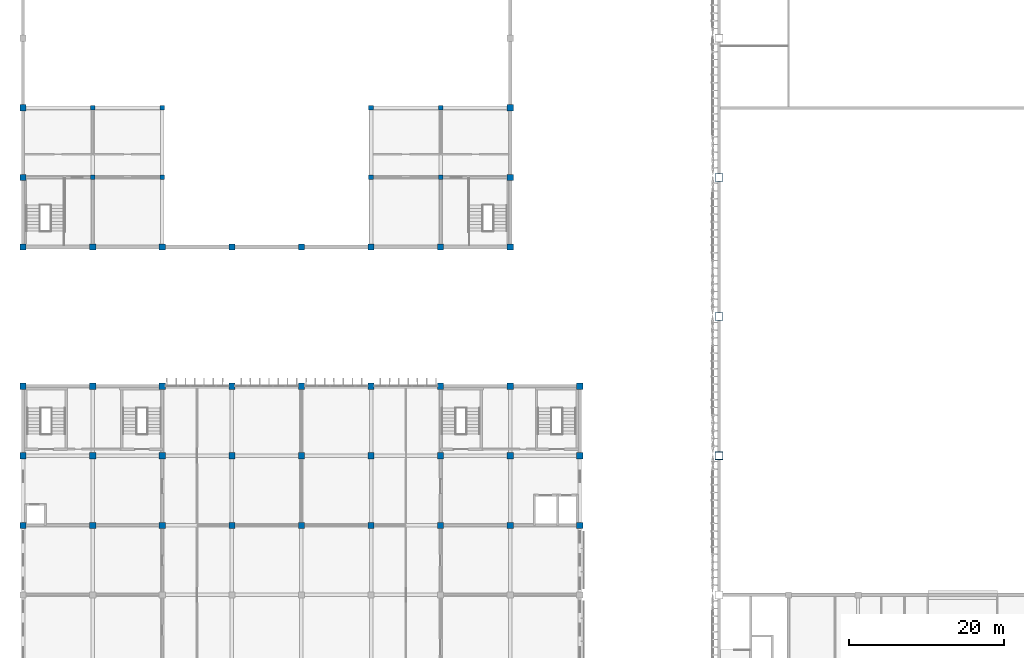
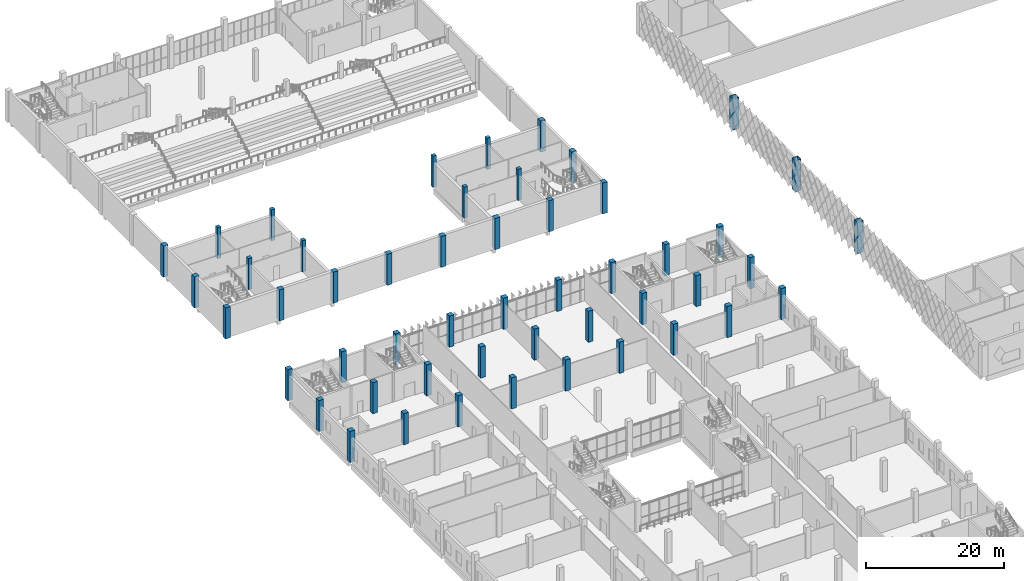
# One storey, part 3 of 185: 50 columns.
"""IFC4 building model written with IfcOpenShell, lengths in metres."""

from ifc_helpers import new_model, si_unit, direction, frame, origin, origin_2d, place, context, subcontext, project, spatial, rectangle, hollow_rectangle, extrude, material, material_profile, profile_set, type_object, element, save


model = new_model("IFC4")

# Units and contexts
model_context = context("Model", 3, precision=1e-05, world=origin(), true_north=direction((0.0, 1.0)))
body_context = subcontext(model_context, "Body", "Model", "MODEL_VIEW")
ifc_project = project(units=[si_unit("LENGTHUNIT", "METRE"), si_unit("AREAUNIT", "SQUARE_METRE"), si_unit("VOLUMEUNIT", "CUBIC_METRE"), si_unit("PLANEANGLEUNIT", "RADIAN"), si_unit("MASSUNIT", "GRAM", prefix="KILO")], contexts=[model_context])

# Site, building, storey
site_placement = place(None, origin())
site = spatial("IfcSite", under=ifc_project, at=site_placement, CompositionType="ELEMENT")
building_placement = place(site_placement, origin())
building = spatial("IfcBuilding", under=site, at=building_placement, Name="Opaline Strait Convention Centre", CompositionType="ELEMENT")
storey_placement = place(building_placement, frame((0.0, 0.0, 6.0)))
storey = spatial("IfcBuildingStorey", under=building, at=storey_placement, Name="L01", CompositionType="ELEMENT", Elevation=6.0)

# Columns
ifc_material_1 = material(Name="Steel Q355B", Category="steel")
ifc_material_profile_1 = material_profile(ifc_material_1, hollow_rectangle(XDim=1.0, YDim=1.0, WallThickness=0.031982421875, at=origin_2d()), Name="BOX 1000x1000x32")
ifc_profile_set_1 = profile_set([ifc_material_profile_1], Name="Steel Q355B")
column_type_1 = type_object("IfcColumnType", Name="CFT column BOX 1000x1000x32 C60 fill", PredefinedType="COLUMN", material=ifc_profile_set_1)
for number, where, z_axis, x_axis, name in (
    (1, (99.0, 90.0, 0.0), (0.0, 0.0, 1.0), (1.0, 0.0, 0.0), "Roof column XC-03"),
    (2, (99.0, 108.0, 0.0), (0.0, 0.0, 1.0), (1.0, 0.0, 0.0), "Roof column XC-04"),
    (3, (99.0, 126.0, 0.0), (0.0, 0.0, 1.0), (1.0, 0.0, 0.0), "Roof column XC-05"),
):
    element("IfcColumn", number, at=place(storey_placement, frame(where, z_axis=z_axis, x_axis=x_axis)), inside=storey, type_object=column_type_1, Name=name, ObjectType="XC1", PredefinedType="COLUMN", context=body_context, shape_type="SweptSolid", body=[
        extrude(hollow_rectangle(XDim=1.0, YDim=1.0, WallThickness=0.031982421875, at=origin_2d()), origin(), (0.0, 0.0, 1.0), 5.5),
    ])
ifc_material_2 = material(Name="Concrete C40", Category="concrete")
ifc_material_profile_2 = material_profile(ifc_material_2, rectangle(XDim=0.60009765625, YDim=0.60009765625, at=origin_2d()), Name="RC 600x600")
ifc_profile_set_2 = profile_set([ifc_material_profile_2], Name="Concrete C40")
column_type_2 = type_object("IfcColumnType", Name="RC column 600x600 C40", PredefinedType="COLUMN", material=ifc_profile_set_2)
for number, where, z_axis, x_axis, name in (
    (4, (18.0, 126.0, 0.0), (0.0, 0.0, 1.0), (1.0, 0.0, 0.0), "PC2 L01 at 3/Q"),
    (5, (27.0, 126.0, 0.0), (0.0, 0.0, 1.0), (1.0, 0.0, 0.0), "PC2 L01 at 4/Q"),
    (6, (54.0, 126.0, 0.0), (0.0, 0.0, 1.0), (1.0, 0.0, 0.0), "PC2 L01 at 7/Q"),
    (7, (63.0, 126.0, 0.0), (0.0, 0.0, 1.0), (1.0, 0.0, 0.0), "PC2 L01 at 8/Q"),
    (8, (18.0, 135.0, 0.0), (0.0, 0.0, 1.0), (1.0, 0.0, 0.0), "PC2 L01 at 3/R"),
    (9, (27.0, 135.0, 0.0), (0.0, 0.0, 1.0), (1.0, 0.0, 0.0), "PC2 L01 at 4/R"),
    (10, (54.0, 135.0, 0.0), (0.0, 0.0, 1.0), (1.0, 0.0, 0.0), "PC2 L01 at 7/R"),
    (11, (63.0, 135.0, 0.0), (0.0, 0.0, 1.0), (1.0, 0.0, 0.0), "PC2 L01 at 8/R"),
):
    element("IfcColumn", number, at=place(storey_placement, frame(where, z_axis=z_axis, x_axis=x_axis)), inside=storey, type_object=column_type_2, Name=name, PredefinedType="COLUMN", context=body_context, shape_type="SweptSolid", body=[
        extrude(rectangle(XDim=0.60009765625, YDim=0.60009765625, at=origin_2d()), origin(), (0.0, 0.0, 1.0), 5.5),
    ])
ifc_material_profile_3 = material_profile(ifc_material_2, rectangle(XDim=0.800048828125, YDim=0.800048828125, at=origin_2d()), Name="RC 800x800")
ifc_profile_set_3 = profile_set([ifc_material_profile_3], Name="Concrete C40")
column_type_3 = type_object("IfcColumnType", Name="RC column 800x800 C40", PredefinedType="COLUMN", material=ifc_profile_set_3)
for number, where, z_axis, x_axis, name in (
    (12, (9.0, 117.0, 0.0), (0.0, 0.0, 1.0), (1.0, 0.0, 0.0), "XC2 L01 at 2/P"),
    (13, (18.0, 117.0, 0.0), (0.0, 0.0, 1.0), (1.0, 0.0, 0.0), "XC2 L01 at 3/P"),
    (14, (27.0, 117.0, 0.0), (0.0, 0.0, 1.0), (1.0, 0.0, 0.0), "XC2 L01 at 4/P"),
    (15, (36.0, 117.0, 0.0), (0.0, 0.0, 1.0), (1.0, 0.0, 0.0), "XC2 L01 at 5/P"),
    (16, (45.0, 117.0, 0.0), (0.0, 0.0, 1.0), (1.0, 0.0, 0.0), "XC2 L01 at 6/P"),
    (17, (54.0, 117.0, 0.0), (0.0, 0.0, 1.0), (1.0, 0.0, 0.0), "XC2 L01 at 7/P"),
    (18, (63.0, 117.0, 0.0), (0.0, 0.0, 1.0), (1.0, 0.0, 0.0), "XC2 L01 at 8/P"),
    (19, (72.0, 117.0, 0.0), (0.0, 0.0, 1.0), (1.0, 0.0, 0.0), "XC2 L01 at 9/P"),
    (20, (9.0, 126.0, 0.0), (0.0, 0.0, 1.0), (1.0, 0.0, 0.0), "XC2 L01 at 2/Q"),
    (21, (72.0, 126.0, 0.0), (0.0, 0.0, 1.0), (1.0, 0.0, 0.0), "XC2 L01 at 9/Q"),
    (22, (9.0, 135.0, 0.0), (0.0, 0.0, 1.0), (1.0, 0.0, 0.0), "XC2 L01 at 2/R"),
    (23, (72.0, 135.0, 0.0), (0.0, 0.0, 1.0), (1.0, 0.0, 0.0), "XC2 L01 at 9/R"),
    (24, (9.0, 81.0, 0.0), (0.0, 0.0, 1.0), (1.0, 0.0, 0.0), "RC1 L01 at 9/81"),
    (25, (9.0, 90.0, 0.0), (0.0, 0.0, 1.0), (1.0, 0.0, 0.0), "RC1 L01 at 9/90"),
    (26, (9.0, 99.0, 0.0), (0.0, 0.0, 1.0), (1.0, 0.0, 0.0), "RC1 L01 at 9/99"),
    (27, (18.0, 81.0, 0.0), (0.0, 0.0, 1.0), (1.0, 0.0, 0.0), "RC1 L01 at 18/81"),
    (28, (18.0, 90.0, 0.0), (0.0, 0.0, 1.0), (1.0, 0.0, 0.0), "RC1 L01 at 18/90"),
    (29, (18.0, 99.0, 0.0), (0.0, 0.0, 1.0), (1.0, 0.0, 0.0), "RC1 L01 at 18/99"),
    (30, (27.0, 81.0, 0.0), (0.0, 0.0, 1.0), (1.0, 0.0, 0.0), "RC1 L01 at 27/81"),
    (31, (27.0, 90.0, 0.0), (0.0, 0.0, 1.0), (1.0, 0.0, 0.0), "RC1 L01 at 27/90"),
    (32, (27.0, 99.0, 0.0), (0.0, 0.0, 1.0), (1.0, 0.0, 0.0), "RC1 L01 at 27/99"),
    (33, (36.0, 81.0, 0.0), (0.0, 0.0, 1.0), (1.0, 0.0, 0.0), "RC1 L01 at 36/81"),
    (34, (36.0, 90.0, 0.0), (0.0, 0.0, 1.0), (1.0, 0.0, 0.0), "RC1 L01 at 36/90"),
    (35, (36.0, 99.0, 0.0), (0.0, 0.0, 1.0), (1.0, 0.0, 0.0), "RC1 L01 at 36/99"),
    (36, (45.0, 81.0, 0.0), (0.0, 0.0, 1.0), (1.0, 0.0, 0.0), "RC1 L01 at 45/81"),
    (37, (45.0, 90.0, 0.0), (0.0, 0.0, 1.0), (1.0, 0.0, 0.0), "RC1 L01 at 45/90"),
    (38, (45.0, 99.0, 0.0), (0.0, 0.0, 1.0), (1.0, 0.0, 0.0), "RC1 L01 at 45/99"),
    (39, (54.0, 81.0, 0.0), (0.0, 0.0, 1.0), (1.0, 0.0, 0.0), "RC1 L01 at 54/81"),
    (40, (54.0, 90.0, 0.0), (0.0, 0.0, 1.0), (1.0, 0.0, 0.0), "RC1 L01 at 54/90"),
    (41, (54.0, 99.0, 0.0), (0.0, 0.0, 1.0), (1.0, 0.0, 0.0), "RC1 L01 at 54/99"),
    (42, (63.0, 81.0, 0.0), (0.0, 0.0, 1.0), (1.0, 0.0, 0.0), "RC1 L01 at 63/81"),
    (43, (63.0, 90.0, 0.0), (0.0, 0.0, 1.0), (1.0, 0.0, 0.0), "RC1 L01 at 63/90"),
    (44, (63.0, 99.0, 0.0), (0.0, 0.0, 1.0), (1.0, 0.0, 0.0), "RC1 L01 at 63/99"),
    (45, (72.0, 81.0, 0.0), (0.0, 0.0, 1.0), (1.0, 0.0, 0.0), "RC1 L01 at 72/81"),
    (46, (72.0, 90.0, 0.0), (0.0, 0.0, 1.0), (1.0, 0.0, 0.0), "RC1 L01 at 72/90"),
    (47, (72.0, 99.0, 0.0), (0.0, 0.0, 1.0), (1.0, 0.0, 0.0), "RC1 L01 at 72/99"),
    (48, (81.0, 81.0, 0.0), (0.0, 0.0, 1.0), (1.0, 0.0, 0.0), "RC1 L01 at 81/81"),
    (49, (81.0, 90.0, 0.0), (0.0, 0.0, 1.0), (1.0, 0.0, 0.0), "RC1 L01 at 81/90"),
    (50, (81.0, 99.0, 0.0), (0.0, 0.0, 1.0), (1.0, 0.0, 0.0), "RC1 L01 at 81/99"),
):
    element("IfcColumn", number, at=place(storey_placement, frame(where, z_axis=z_axis, x_axis=x_axis)), inside=storey, type_object=column_type_3, Name=name, PredefinedType="COLUMN", context=body_context, shape_type="SweptSolid", body=[
        extrude(rectangle(XDim=0.800048828125, YDim=0.800048828125, at=origin_2d()), origin(), (0.0, 0.0, 1.0), 5.5),
    ])

save(model, "model.ifc")
